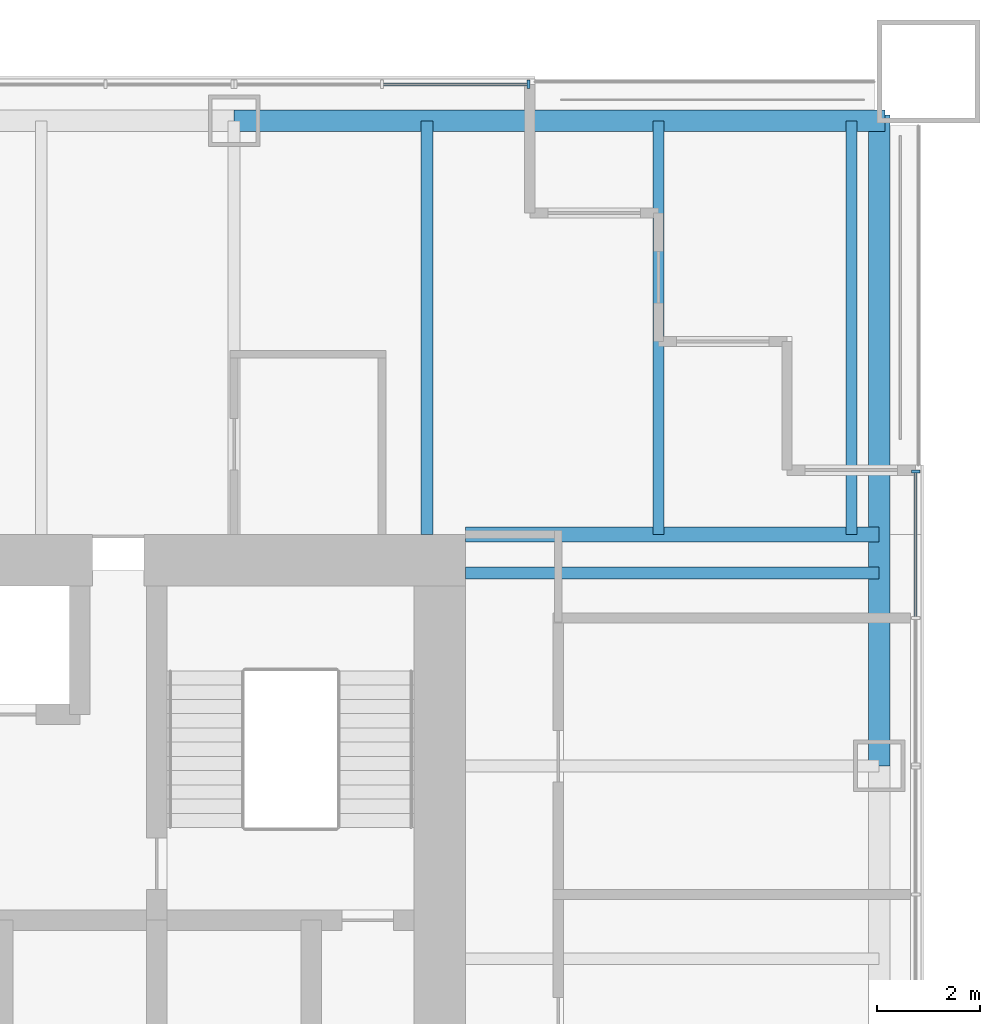
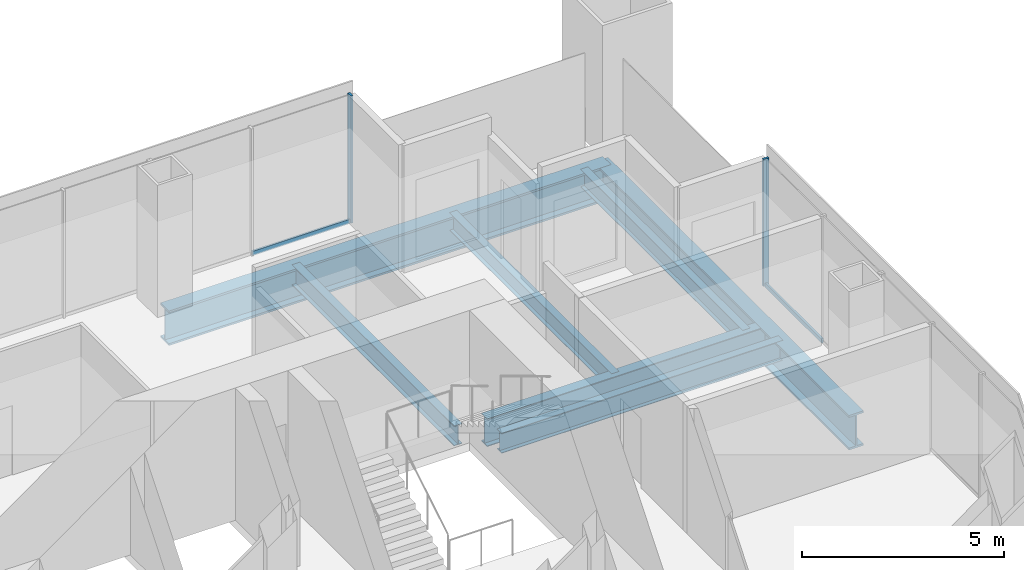
# One storey, part 7 of 15: 7 beams, 4 members, 2 elements without a shape of their own.
"""IFC4 building model written with IfcOpenShell, lengths in metres."""

import ifcopenshell
import ifcopenshell.guid

model = None  # the IFC model being written
_history = None  # IfcOwnerHistory: only IFC2X3 demands one
_inside = {}  # id of a spatial element -> (the spatial element, [elements in it])
_under = {}  # id of a project, library or spatial element -> (it, [spatial elements below it])
_declared = {}  # id of a project -> (the project, [libraries it declares])
_typed = {}  # id of a type object -> (the type object, [elements of that type])
_made_of = {}  # id of a material, layer set ... -> (it, [elements and type objects made of it])


def new_model(schema):
    """Start an empty IFC model of exactly this schema.

    Asked for "IFC4X3", IfcOpenShell would pick the latest addendum, in which some entities
    have other attributes; the version numbers below select the first issue.
    IFC2X3 requires an IfcOwnerHistory on every rooted entity: one is made here for all.
    """
    global model, _history
    if schema == "IFC4X3":
        model = ifcopenshell.file(schema_version=(4, 3, 0, 0))
    else:
        model = ifcopenshell.file(schema=schema)
    _inside.clear()
    _under.clear()
    _declared.clear()
    _typed.clear()
    _made_of.clear()
    _history = None
    if model.schema == "IFC2X3":
        org = make("IfcOrganization", Name="unknown")
        user = make(
            "IfcPersonAndOrganization",
            ThePerson=make("IfcPerson", FamilyName="unknown"),
            TheOrganization=org,
        )
        app = make(
            "IfcApplication",
            ApplicationDeveloper=org,
            Version="unknown",
            ApplicationFullName="unknown",
            ApplicationIdentifier="unknown",
        )
        _history = make(
            "IfcOwnerHistory",
            OwningUser=user,
            OwningApplication=app,
            ChangeAction="ADDED",
            CreationDate=0,
        )
    return model


def make(cls, **values):
    """One entity of the class cls with the attributes given. An attribute that is None is left unset."""
    return model.create_entity(
        cls, **{name: value for name, value in values.items() if value is not None}
    )


def rooted(cls, **values):
    """An entity with a GlobalId (a new one), such as an element, a storey or a relation."""
    return make(cls, GlobalId=ifcopenshell.guid.new(), OwnerHistory=_history, **values)


def si_unit(unit_type, name, prefix=None):
    """IfcSIUnit, for example si_unit("LENGTHUNIT", "METRE", prefix="MILLI")."""
    return make("IfcSIUnit", UnitType=unit_type, Prefix=prefix, Name=name)


def assignment(units):
    """IfcUnitAssignment: the units of a project."""
    return None if units is None else make("IfcUnitAssignment", Units=units)


def point(xyz):
    """IfcCartesianPoint."""
    return None if xyz is None else make("IfcCartesianPoint", Coordinates=xyz)


def direction(xyz):
    """IfcDirection."""
    return None if xyz is None else make("IfcDirection", DirectionRatios=xyz)


def frame(location, z_axis=None, x_axis=None):
    """IfcAxis2Placement3D, a coordinate frame: its origin and axes. An axis left out is left unset."""
    return make(
        "IfcAxis2Placement3D",
        Location=point(location),
        Axis=direction(z_axis),
        RefDirection=direction(x_axis),
    )


def frame_2d(location, x_axis=None):
    """IfcAxis2Placement2D, a coordinate frame in the plane: its origin and x axis."""
    return make(
        "IfcAxis2Placement2D", Location=point(location), RefDirection=direction(x_axis)
    )


def origin():
    """The frame at (0, 0, 0) with its axes left unset."""
    return frame((0.0, 0.0, 0.0))


def origin_2d():
    """The frame at (0, 0) in the plane with its x axis left unset."""
    return frame_2d((0.0, 0.0))


def place(relative_to, where):
    """IfcLocalPlacement: puts the frame where relative to a parent placement (None: the world)."""
    return make(
        "IfcLocalPlacement", PlacementRelTo=relative_to, RelativePlacement=where
    )


def context(
    kind, dimensions, precision=None, world=None, true_north=None, identifier=None
):
    """IfcGeometricRepresentationContext, for example the 3D "Model" context."""
    return make(
        "IfcGeometricRepresentationContext",
        ContextIdentifier=identifier,
        ContextType=kind,
        CoordinateSpaceDimension=dimensions,
        Precision=precision,
        WorldCoordinateSystem=world,
        TrueNorth=true_north,
    )


def subcontext(parent, identifier, kind, view, scale=None):
    """IfcGeometricRepresentationSubContext, for example "Body" below "Model"."""
    return make(
        "IfcGeometricRepresentationSubContext",
        ContextIdentifier=identifier,
        ContextType=kind,
        ParentContext=parent,
        TargetScale=scale,
        TargetView=view,
    )


def project(units=None, contexts=None):
    """IfcProject with its units and contexts."""
    return rooted(
        "IfcProject",
        Name="project",
        RepresentationContexts=contexts,
        UnitsInContext=assignment(units),
    )


def spatial(cls, under=None, at=None, **own):
    """A site, building, storey or space (cls), placed at a placement, below another one or the project."""
    s = rooted(cls, ObjectPlacement=at, **own)
    if under is not None:
        _under.setdefault(under.id(), (under, []))[1].append(s)
    return s


def profile(cls, at=None, kind="AREA", **sizes):
    """A parametric profile (cls). Its sizes go by their IFC names, for example OverallWidth=200.0."""
    return make(cls, ProfileType=kind, Position=at, **sizes)


def rectangle(**sizes):
    """IfcRectangleProfileDef."""
    return profile("IfcRectangleProfileDef", **sizes)


def i_section(**sizes):
    """IfcIShapeProfileDef."""
    return profile("IfcIShapeProfileDef", **sizes)


def extrude(swept, where, along, depth):
    """IfcExtrudedAreaSolid: the profile swept, set in the frame where, extruded along a direction by depth."""
    return make(
        "IfcExtrudedAreaSolid",
        SweptArea=swept,
        Position=where,
        ExtrudedDirection=direction(along),
        Depth=depth,
    )


def shape(context_of_items, identifier, shape_type, items):
    """IfcShapeRepresentation: the items that make up one representation, for example the "Body"."""
    return make(
        "IfcShapeRepresentation",
        ContextOfItems=context_of_items,
        RepresentationIdentifier=identifier,
        RepresentationType=shape_type,
        Items=items,
    )


def material(Name=None, Category=None):
    """IfcMaterial."""
    return make("IfcMaterial", Name=Name, Category=Category)


def material_profile(
    of_material, cross_section, Name=None, Category=None, Priority=None
):
    """IfcMaterialProfile: a cross section and its material."""
    return make(
        "IfcMaterialProfile",
        Name=Name,
        Material=of_material,
        Profile=cross_section,
        Priority=Priority,
        Category=Category,
    )


def profile_set(profiles, Name=None, composite=None):
    """IfcMaterialProfileSet."""
    return make(
        "IfcMaterialProfileSet",
        Name=Name,
        MaterialProfiles=profiles,
        CompositeProfile=composite,
    )


def made_of(thing, what):
    """Note that an element or type object is made of a material, layer set ...; save() writes the relation."""
    if what is not None:
        _made_of.setdefault(what.id(), (what, []))[1].append(thing)
    return thing


def type_object(cls, material=None, **own):
    """A type object (cls), such as IfcWallType, which elements share."""
    return made_of(rooted(cls, **own), material)


def element(
    cls,
    number,
    at=None,
    inside=None,
    cuts=None,
    type_object=None,
    material=None,
    context=None,
    identifier="Body",
    shape_type=None,
    held_by="IfcProductDefinitionShape",
    body=None,
    shapes=None,
    **own,
):
    """One element of the class cls, such as IfcWall. Its Tag is "e" and its number.

    at: its placement. inside: the storey or other place that contains it. cuts: it is an
    opening in that element (IfcRelVoidsElement). A single representation is given by context,
    identifier, shape_type and body (its items); several are given by shapes. held_by: the class
    of the entity that holds the representations. save() writes the other relations.
    """
    e = rooted(cls, Tag="e%d" % number, ObjectPlacement=at, **own)
    if body is not None:
        shapes = [shape(context, identifier, shape_type, body)]
    if shapes is not None:
        e.Representation = make(held_by, Representations=shapes)
    if inside is not None:
        _inside.setdefault(inside.id(), (inside, []))[1].append(e)
    if cuts is not None:
        rooted(
            "IfcRelVoidsElement", RelatingBuildingElement=cuts, RelatedOpeningElement=e
        )
    if type_object is not None:
        _typed.setdefault(type_object.id(), (type_object, []))[1].append(e)
    return made_of(e, material)


def aggregate(whole, parts):
    """IfcRelAggregates: a whole, such as a stair, and the parts it consists of."""
    return rooted("IfcRelAggregates", RelatingObject=whole, RelatedObjects=parts)


def save(model, path):
    """Write the relations noted so far, then the file.

    IfcRelAggregates (storeys below a building ...), IfcRelContainedInSpatialStructure (elements
    in a storey), IfcRelDefinesByType, IfcRelAssociatesMaterial and IfcRelDeclares: one each for
    every whole, place, type object, material and project.
    """
    for whole, parts in _under.values():
        aggregate(whole, parts)
    for where, things in _inside.values():
        rooted(
            "IfcRelContainedInSpatialStructure",
            RelatedElements=things,
            RelatingStructure=where,
        )
    for kind, things in _typed.values():
        rooted("IfcRelDefinesByType", RelatedObjects=things, RelatingType=kind)
    for what, things in _made_of.values():
        rooted("IfcRelAssociatesMaterial", RelatedObjects=things, RelatingMaterial=what)
    for by, libraries in _declared.values():
        rooted("IfcRelDeclares", RelatingContext=by, RelatedDefinitions=libraries)
    model.write(path)


model = new_model("IFC4")

# Units and contexts
model_context = context("Model", 3, precision=1e-05, world=origin(), true_north=direction((0.0, 1.0)))
body_context = subcontext(model_context, "Body", "Model", "MODEL_VIEW")
ifc_project = project(units=[si_unit("LENGTHUNIT", "METRE"), si_unit("AREAUNIT", "SQUARE_METRE"), si_unit("VOLUMEUNIT", "CUBIC_METRE"), si_unit("PLANEANGLEUNIT", "RADIAN"), si_unit("MASSUNIT", "GRAM", prefix="KILO")], contexts=[model_context])

# Site, building, storey
site_placement = place(None, origin())
site = spatial("IfcSite", under=ifc_project, at=site_placement, CompositionType="ELEMENT")
building_placement = place(site_placement, origin())
building = spatial("IfcBuilding", under=site, at=building_placement, Name="Tarangal Relay Tower", CompositionType="ELEMENT")
storey_placement = place(building_placement, frame((0.0, 0.0, 299.89990234375)))
storey = spatial("IfcBuildingStorey", under=building, at=storey_placement, Name="L66", CompositionType="ELEMENT", Elevation=299.89990234375)

# Beams
ifc_material_1 = material(Name="Steel ASTM A992", Category="steel")
ifc_material_profile_1 = material_profile(ifc_material_1, i_section(OverallWidth=0.209228515625, OverallDepth=0.533447265625, WebThickness=0.01025390625, FlangeThickness=0.015625, at=origin_2d()), Name="W21X62")
ifc_profile_set_1 = profile_set([ifc_material_profile_1], Name="Steel ASTM A992")
beam_type_1 = type_object("IfcBeamType", Name="Corner beam W21X62", PredefinedType="JOIST", material=ifc_profile_set_1)
for number, where, z_axis, x_axis, name in (
    (1, (15.75, 12.0, -0.41650390625), (0.0, 1.0, 0.0), (-1.0, 0.0, 0.0), "Corner beam CB12 N L66"),
    (2, (19.5, 12.0, -0.41650390625), (0.0, 1.0, 0.0), (-1.0, 0.0, 0.0), "Corner beam CB12 N L66"),
):
    element("IfcBeam", number, at=place(storey_placement, frame(where, z_axis=z_axis, x_axis=x_axis)), inside=storey, type_object=beam_type_1, Name=name, PredefinedType="JOIST", context=body_context, shape_type="SweptSolid", body=[
        extrude(i_section(OverallWidth=0.209228515625, OverallDepth=0.533447265625, WebThickness=0.01025390625, FlangeThickness=0.015625, at=origin_2d()), origin(), (0.0, 0.0, 1.0), 8.0400390625),
    ])
ifc_material_profile_2 = material_profile(ifc_material_1, i_section(OverallWidth=0.2919921875, OverallDepth=0.8408203125, WebThickness=0.0146484375, FlangeThickness=0.021728515625, at=origin_2d()), Name="W33X130")
ifc_profile_set_2 = profile_set([ifc_material_profile_2], Name="Steel ASTM A992")
beam_type_2 = type_object("IfcBeamType", Name="Corner girder W33X130", PredefinedType="BEAM", material=ifc_profile_set_2)
beam_placement = place(storey_placement, frame((12.0, 12.0, -0.5703125), z_axis=(1.0, 0.0, 0.0), x_axis=(0.0, 1.0, 0.0)))
element("IfcBeam", 3, at=beam_placement, inside=storey, type_object=beam_type_2, Name="Corner girder CG5 N L66", PredefinedType="BEAM", context=body_context, shape_type="SweptSolid", body=[
    extrude(i_section(OverallWidth=0.2919921875, OverallDepth=0.8408203125, WebThickness=0.0146484375, FlangeThickness=0.021728515625, at=origin_2d()), origin(), (0.0, 0.0, 1.0), 8.0400390625),
])
ifc_material_profile_3 = material_profile(ifc_material_1, i_section(OverallWidth=0.41162109375, OverallDepth=1.049072265625, WebThickness=0.033935546875, FlangeThickness=0.059814453125, at=origin_2d()), Name="W40X431")
ifc_profile_set_3 = profile_set([ifc_material_profile_3], Name="Steel ASTM A992")
beam_type_3 = type_object("IfcBeamType", Name="Edge girder W40X431", PredefinedType="SPANDREL", material=ifc_profile_set_3)
for number, where, z_axis, x_axis, name in (
    (4, (7.5, 20.0400390625, -0.67431640625), (1.0, 0.0, 0.0), (0.0, 1.0, 0.0), "Edge girder EG1 N L66"),
    (5, (20.0400390625, 20.14990234375, -0.67431640625), (0.0, -1.0, 0.0), (1.0, 0.0, 0.0), "Edge girder EG1 E L66"),
):
    element("IfcBeam", number, at=place(storey_placement, frame(where, z_axis=z_axis, x_axis=x_axis)), inside=storey, type_object=beam_type_3, Name=name, PredefinedType="SPANDREL", context=body_context, shape_type="SweptSolid", body=[
        extrude(i_section(OverallWidth=0.41162109375, OverallDepth=1.049072265625, WebThickness=0.033935546875, FlangeThickness=0.059814453125, at=origin_2d()), origin(), (0.0, 0.0, 1.0), 12.64990234375),
    ])
ifc_material_profile_4 = material_profile(ifc_material_1, i_section(OverallWidth=0.228271484375, OverallDepth=0.607177734375, WebThickness=0.01123046875, FlangeThickness=0.017333984375, at=origin_2d()), Name="W24X76")
ifc_profile_set_4 = profile_set([ifc_material_profile_4], Name="Steel ASTM A992")
beam_type_4 = type_object("IfcBeamType", Name="Floor beam W24X76", PredefinedType="BEAM", material=ifc_profile_set_4)
for number, where, z_axis, x_axis, name in (
    (6, (11.25, 12.0, -0.453369140625), (0.0, 1.0, 0.0), (-1.0, 0.0, 0.0), "Floor beam RB5 N L66"),
    (7, (12.0, 11.25, -0.453369140625), (1.0, 0.0, 0.0), (0.0, 1.0, 0.0), "Floor beam RB5 E L66"),
):
    element("IfcBeam", number, at=place(storey_placement, frame(where, z_axis=z_axis, x_axis=x_axis)), inside=storey, type_object=beam_type_4, Name=name, PredefinedType="BEAM", context=body_context, shape_type="SweptSolid", body=[
        extrude(i_section(OverallWidth=0.228271484375, OverallDepth=0.607177734375, WebThickness=0.01123046875, FlangeThickness=0.017333984375, at=origin_2d()), origin(), (0.0, 0.0, 1.0), 8.0400390625),
    ])

# Curtain wall, member
ifc_material_2 = material(Name="Unitised curtain wall, dark glass and black aluminium", Category="aluminium")
curtain_wall_type = type_object("IfcCurtainWallType", Name="Curtain wall CW-B", PredefinedType="USERDEFINED", material=ifc_material_2)
curtain_wall_1_placement = place(storey_placement, origin())
curtain_wall_1 = element("IfcCurtainWall", 8, at=curtain_wall_1_placement, inside=storey, type_object=curtain_wall_type, Name="Curtain wall CW-B N facade L66", ObjectType="UNITISED CURTAIN WALL", PredefinedType="USERDEFINED")
ifc_material_3 = material(Name="Black anodised aluminium mullion", Category="aluminium")
ifc_material_profile_5 = material_profile(ifc_material_3, rectangle(XDim=0.159912109375, YDim=0.06005859375, at=origin_2d()), Name="CW-BM 60X160")
ifc_profile_set_5 = profile_set([ifc_material_profile_5], Name="Black anodised aluminium mullion")
member_type_1 = type_object("IfcMemberType", Name="Mullion CW-B 60 x 160", PredefinedType="MULLION", material=ifc_profile_set_5)
member_1_placement = place(storey_placement, frame((13.219970703125, 20.75, 0.0), z_axis=(0.0, 0.0, 1.0), x_axis=(0.0, 1.0, 0.0)))
member_1 = element("IfcMember", 9, at=member_1_placement, type_object=member_type_1, Name="CW-B mullion 3", PredefinedType="MULLION", context=body_context, shape_type="SweptSolid", body=[
    extrude(rectangle(XDim=0.159912109375, YDim=0.06005859375, at=origin_2d()), origin(), (0.0, 0.0, 1.0), 3.85009765625),
])

curtain_wall_2_placement = place(storey_placement, origin())
curtain_wall_2 = element("IfcCurtainWall", 10, at=curtain_wall_2_placement, inside=storey, type_object=curtain_wall_type, Name="Curtain wall CW-B E facade L66", ObjectType="UNITISED CURTAIN WALL", PredefinedType="USERDEFINED")
member_2_placement = place(storey_placement, frame((20.75, 13.219970703125, 0.0), z_axis=(0.0, 0.0, 1.0), x_axis=(1.0, 0.0, 0.0)))
member_2 = element("IfcMember", 11, at=member_2_placement, type_object=member_type_1, Name="CW-B mullion 1", PredefinedType="MULLION", context=body_context, shape_type="SweptSolid", body=[
    extrude(rectangle(XDim=0.159912109375, YDim=0.06005859375, at=origin_2d()), origin(), (0.0, 0.0, 1.0), 3.85009765625),
])

# Member
ifc_material_4 = material(Name="Black anodised aluminium transom", Category="aluminium")
ifc_material_profile_6 = material_profile(ifc_material_4, rectangle(XDim=0.06005859375, YDim=0.1298828125, at=origin_2d()), Name="CW-BT 60X130")
ifc_profile_set_6 = profile_set([ifc_material_profile_6], Name="Black anodised aluminium transom")
member_type_2 = type_object("IfcMemberType", Name="Transom CW-B 60 x 130", PredefinedType="USERDEFINED", material=ifc_profile_set_6)
member_3_placement = place(storey_placement, frame((10.405029296875, 20.75, 0.030029296875), z_axis=(1.0, 0.0, 0.0), x_axis=(0.0, 1.0, 0.0)))
member_3 = element("IfcMember", 12, at=member_3_placement, type_object=member_type_2, Name="CW-B transom 2.1", ObjectType="TRANSOM", PredefinedType="USERDEFINED", context=body_context, shape_type="SweptSolid", body=[
    extrude(rectangle(XDim=0.06005859375, YDim=0.1298828125, at=origin_2d()), origin(), (0.0, 0.0, 1.0), 2.784912109375),
])

aggregate(curtain_wall_1, [member_1, member_3])

member_4_placement = place(storey_placement, frame((20.75, 13.18994140625, 0.030029296875), z_axis=(0.0, -1.0, 0.0), x_axis=(1.0, 0.0, 0.0)))
member_4 = element("IfcMember", 13, at=member_4_placement, type_object=member_type_2, Name="CW-B transom 1.1", ObjectType="TRANSOM", PredefinedType="USERDEFINED", context=body_context, shape_type="SweptSolid", body=[
    extrude(rectangle(XDim=0.06005859375, YDim=0.1298828125, at=origin_2d()), origin(), (0.0, 0.0, 1.0), 2.784912109375),
])

aggregate(curtain_wall_2, [member_2, member_4])

save(model, "model.ifc")
